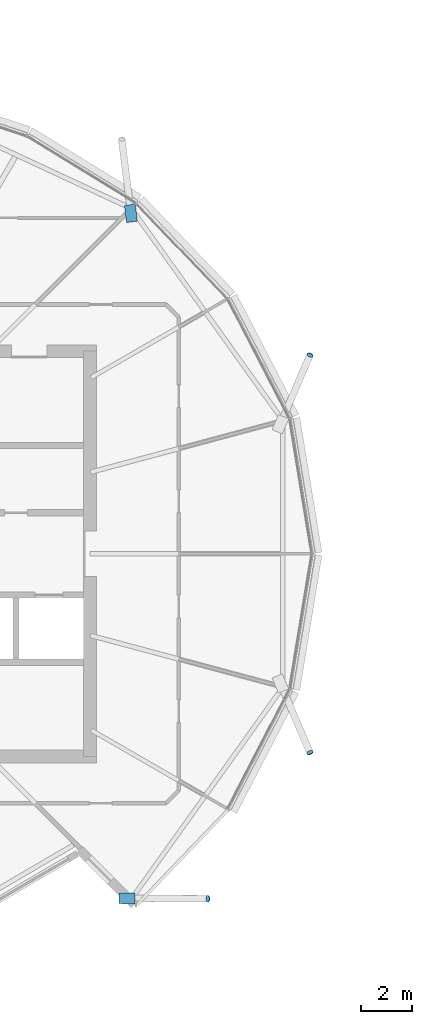
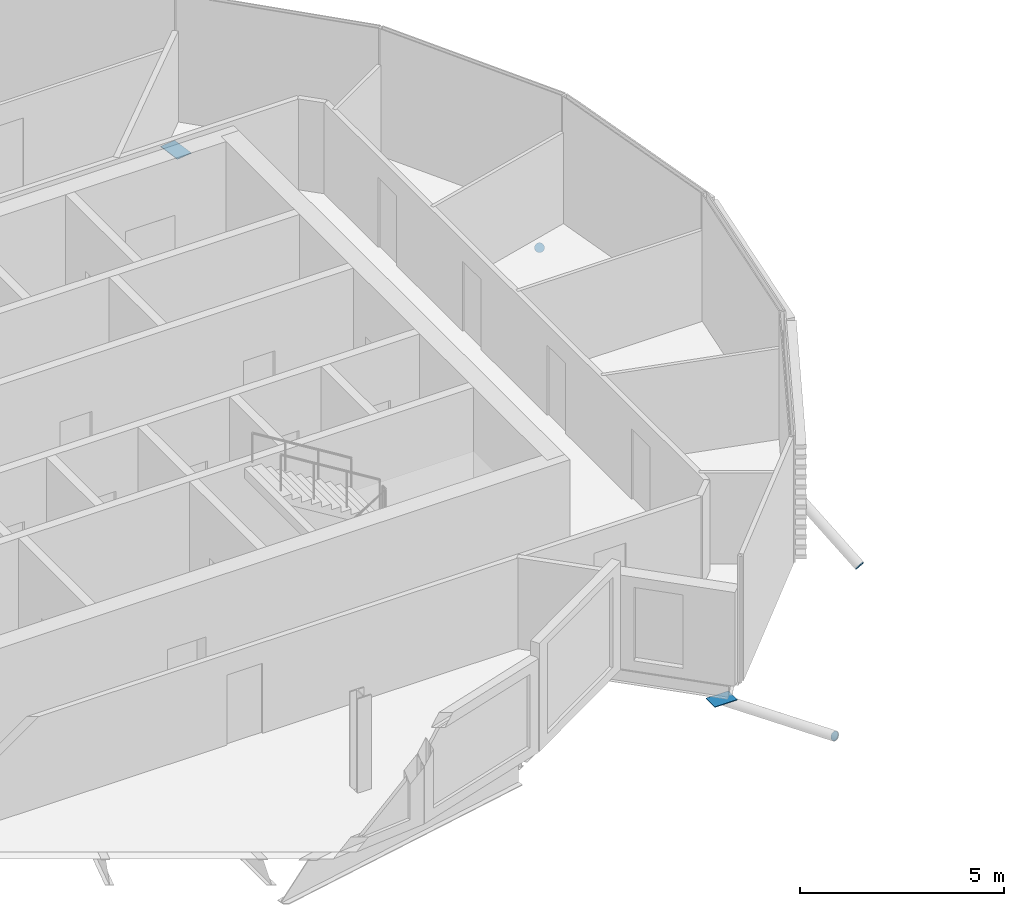
# One storey, part 26 of 35: 5 discrete accessories.
"""IFC4 building model written with IfcOpenShell, lengths in metres."""

from ifc_helpers import new_model, si_unit, direction, frame, origin, origin_2d, place, context, subcontext, project, spatial, polyline, rectangle, circle, outline, extrude, material, material_profile, profile_set, type_object, element, save


model = new_model("IFC4")

# Units and contexts
model_context = context("Model", 3, precision=1e-05, world=origin(), true_north=direction((0.0, 1.0)))
body_context = subcontext(model_context, "Body", "Model", "MODEL_VIEW")
ifc_project = project(units=[si_unit("LENGTHUNIT", "METRE"), si_unit("AREAUNIT", "SQUARE_METRE"), si_unit("VOLUMEUNIT", "CUBIC_METRE"), si_unit("PLANEANGLEUNIT", "RADIAN"), si_unit("MASSUNIT", "GRAM", prefix="KILO")], contexts=[model_context])

# Site, building, storey
site_placement = place(None, origin())
site = spatial("IfcSite", under=ifc_project, at=site_placement, CompositionType="ELEMENT")
building_placement = place(site_placement, origin())
building = spatial("IfcBuilding", under=site, at=building_placement, Name="Rimbun Link Towers", CompositionType="ELEMENT")
storey_placement = place(building_placement, frame((0.0, 0.0, 229.5)))
storey = spatial("IfcBuildingStorey", under=building, at=storey_placement, Name="L56", CompositionType="ELEMENT", Elevation=229.5)

# Discrete accessories
ifc_material_1 = material(Name="Steel S355J2H", Category="steel")
ifc_material_profile_1 = material_profile(ifc_material_1, circle(Radius=0.1240234375, at=origin_2d()), Name="PL D248")
ifc_profile_set_1 = profile_set([ifc_material_profile_1], Name="Steel S355J2H")
discrete_accessory_type_1 = type_object("IfcDiscreteAccessoryType", Name="Link foot sealing plate D248X20", PredefinedType="BRACKET", material=ifc_profile_set_1)
for number, where, z_axis, x_axis, name in (
    (1, (-11.068115234375, 7.840087890625, -2.5615234375), (0.330128612185, 0.758073109461, -0.562441339278), (-0.916834798939, 0.39926676728, 0.0), "Link foot sealing plate T1 L56 01"),
    (2, (-15.1025390625, -13.61572265625, -2.7587890625), (0.818596368748, -0.01221785625, -0.574239243749), (0.014923710973, 0.999888635224, 0.0), "Link foot sealing plate T1 L56 21"),
    (3, (-11.068115234375, -7.840087890625, -2.5615234375), (0.330128612185, -0.758073109461, -0.562441339278), (0.916834798939, 0.39926676728, 0.0), "Link foot sealing plate T1 L56 23"),
):
    element("IfcDiscreteAccessory", number, at=place(storey_placement, frame(where, z_axis=z_axis, x_axis=x_axis)), inside=storey, type_object=discrete_accessory_type_1, Name=name, PredefinedType="BRACKET", context=body_context, shape_type="SweptSolid", body=[
        extrude(circle(Radius=0.1240234375, at=origin_2d()), origin(), (0.0, 0.0, 1.0), 0.02001953125),
    ])
ifc_material_2 = material(Name="Steel S355J2H", Category="steel")
ifc_material_profile_2 = material_profile(ifc_material_2, rectangle(XDim=0.43310546875, YDim=0.43310546875, at=origin_2d()), Name="PL 433x433")
ifc_profile_set_2 = profile_set([ifc_material_profile_2], Name="Steel S355J2H")
discrete_accessory_type_2 = type_object("IfcDiscreteAccessoryType", Name="Link head end plate 433X20", PredefinedType="BRACKET", material=ifc_profile_set_2)
discrete_accessory_1_placement = place(storey_placement, frame((0.0, 0.0, -0.56640625)))
element("IfcDiscreteAccessory", 4, at=discrete_accessory_1_placement, inside=storey, type_object=discrete_accessory_type_2, Name="Link head end plate T1 L56 03", PredefinedType="BRACKET", context=body_context, shape_type="SweptSolid", body=[
    extrude(outline(polyline([(-17.876220703125, 13.1318359375), (-17.9599609375, 13.80712890625), (-18.3896484375, 13.75390625), (-18.305908203125, 13.07861328125), (-17.876220703125, 13.1318359375)])), origin(), (0.0, 0.0, 1.0), 0.02001953125),
])
discrete_accessory_2_placement = place(storey_placement, frame((0.0, 0.0, -0.56640625)))
element("IfcDiscreteAccessory", 5, at=discrete_accessory_2_placement, inside=storey, type_object=discrete_accessory_type_2, Name="Link head end plate T1 L56 21", PredefinedType="BRACKET", context=body_context, shape_type="SweptSolid", body=[
    extrude(outline(polyline([(-18.608642578125, -13.811767578125), (-17.96728515625, -13.8154296875), (-17.964599609375, -13.382568359375), (-18.606201171875, -13.378662109375), (-18.608642578125, -13.811767578125)])), origin(), (0.0, 0.0, 1.0), 0.02001953125),
])

save(model, "model.ifc")
